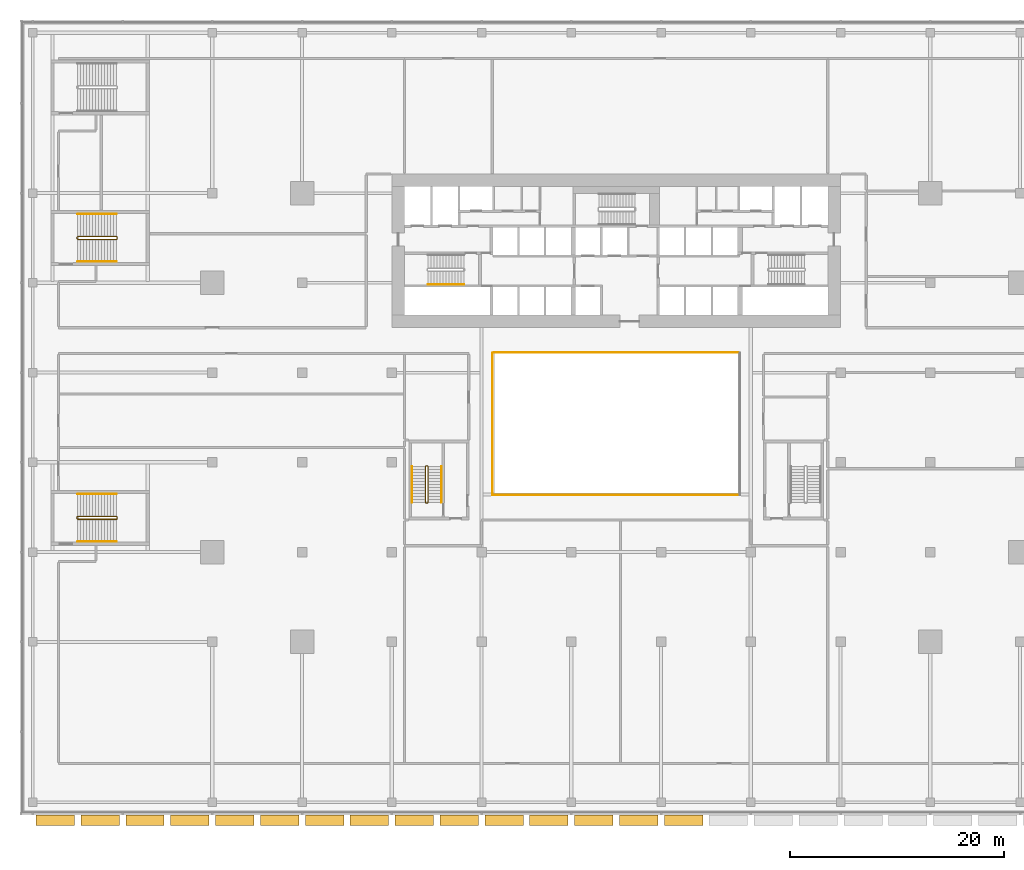
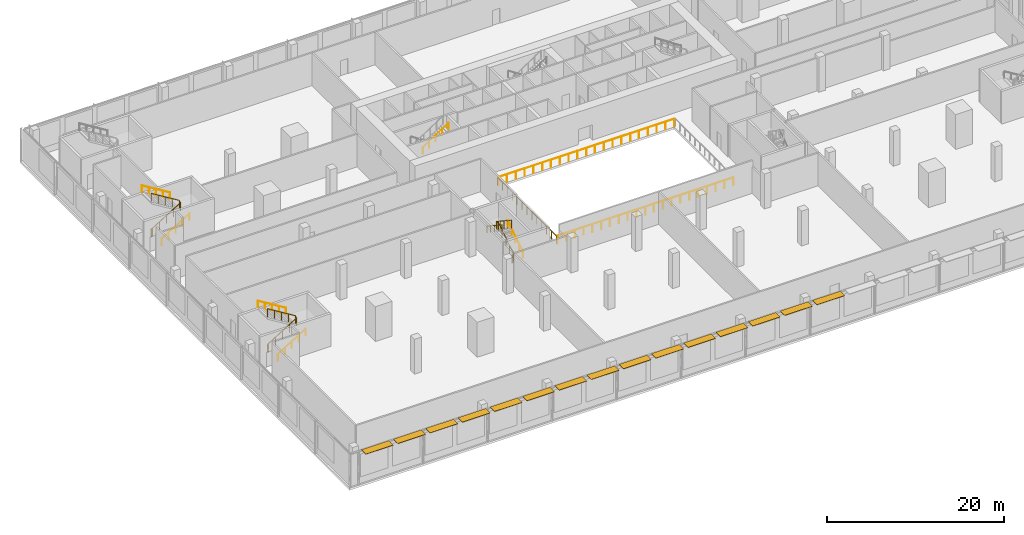
# One storey, part 37 of 39: 15 shading devices, 13 railings.
"""IFC4 building model written with IfcOpenShell, lengths in metres."""

from ifc_helpers import new_model, si_unit, direction, frame, origin, origin_2d, place, context, subcontext, project, spatial, rectangle, circle, extrude, material, type_object, element, save


model = new_model("IFC4")

# Units and contexts
model_context = context("Model", 3, precision=1e-05, world=origin(), true_north=direction((0.0, 1.0)))
body_context = subcontext(model_context, "Body", "Model", "MODEL_VIEW")
ifc_project = project(units=[si_unit("LENGTHUNIT", "METRE"), si_unit("AREAUNIT", "SQUARE_METRE"), si_unit("VOLUMEUNIT", "CUBIC_METRE"), si_unit("PLANEANGLEUNIT", "RADIAN"), si_unit("MASSUNIT", "GRAM", prefix="KILO")], contexts=[model_context])

# Site, building, storey
site_placement = place(None, origin())
site = spatial("IfcSite", under=ifc_project, at=site_placement, CompositionType="ELEMENT")
building_placement = place(site_placement, origin())
building = spatial("IfcBuilding", under=site, at=building_placement, Name="Saffron Gate Tower", CompositionType="ELEMENT")
storey_placement = place(building_placement, frame((0.0, 0.0, 14.39990234375)))
storey = spatial("IfcBuildingStorey", under=building, at=storey_placement, Name="L02", CompositionType="ELEMENT", Elevation=14.39990234375)

# Railings
ifc_material_1 = material(Name="Stainless steel and laminated glass", Category="steel")
railing_type_1 = type_object("IfcRailingType", Name="AG1 Atrium edge guard 1100", PredefinedType="GUARDRAIL", material=ifc_material_1)
railing_1_placement = place(storey_placement, frame((76.02001953125, 45.5400390625, 0.0)))
element("IfcRailing", 1, at=railing_1_placement, inside=storey, type_object=railing_type_1, Name="Guard P2-1", PredefinedType="GUARDRAIL", context=body_context, shape_type="SweptSolid", body=[
    extrude(circle(Radius=0.02392578125, at=origin_2d()), frame((0.0, 0.0, 1.076171875), z_axis=(0.0, 1.0, 0.0), x_axis=(-1.0, 0.0, 0.0)), (0.0, 0.0, 1.0), 13.320068359375),
    extrude(circle(Radius=0.02099609375, at=origin_2d()), origin(), (0.0, 0.0, 1.0), 1.052001953125),
    extrude(circle(Radius=0.02099609375, at=origin_2d()), frame((0.0, 1.110107421875, 0.0)), (0.0, 0.0, 1.0), 1.052001953125),
    extrude(circle(Radius=0.02099609375, at=origin_2d()), frame((0.0, 2.219970703125, 0.0)), (0.0, 0.0, 1.0), 1.052001953125),
    extrude(circle(Radius=0.02099609375, at=origin_2d()), frame((0.0, 3.330078125, 0.0)), (0.0, 0.0, 1.0), 1.052001953125),
    extrude(circle(Radius=0.02099609375, at=origin_2d()), frame((0.0, 4.43994140625, 0.0)), (0.0, 0.0, 1.0), 1.052001953125),
    extrude(circle(Radius=0.02099609375, at=origin_2d()), frame((0.0, 5.550048828125, 0.0)), (0.0, 0.0, 1.0), 1.052001953125),
    extrude(circle(Radius=0.02099609375, at=origin_2d()), frame((0.0, 6.66015625, 0.0)), (0.0, 0.0, 1.0), 1.052001953125),
    extrude(circle(Radius=0.02099609375, at=origin_2d()), frame((0.0, 7.77001953125, 0.0)), (0.0, 0.0, 1.0), 1.052001953125),
    extrude(circle(Radius=0.02099609375, at=origin_2d()), frame((0.0, 8.880126953125, 0.0)), (0.0, 0.0, 1.0), 1.052001953125),
    extrude(circle(Radius=0.02099609375, at=origin_2d()), frame((0.0, 9.989990234375, 0.0)), (0.0, 0.0, 1.0), 1.052001953125),
    extrude(circle(Radius=0.02099609375, at=origin_2d()), frame((0.0, 11.10009765625, 0.0)), (0.0, 0.0, 1.0), 1.052001953125),
    extrude(circle(Radius=0.02099609375, at=origin_2d()), frame((0.0, 12.2099609375, 0.0)), (0.0, 0.0, 1.0), 1.052001953125),
    extrude(circle(Radius=0.02099609375, at=origin_2d()), frame((0.0, 13.320068359375, 0.0)), (0.0, 0.0, 1.0), 1.052001953125),
])
railing_2_placement = place(storey_placement, frame((76.139892578125, 58.860107421875, 0.0)))
element("IfcRailing", 2, at=railing_2_placement, inside=storey, type_object=railing_type_1, Name="Guard P2-2", PredefinedType="GUARDRAIL", context=body_context, shape_type="SweptSolid", body=[
    extrude(circle(Radius=0.02392578125, at=origin_2d()), frame((0.0, 0.0, 1.076171875), z_axis=(1.0, 0.0, 0.0), x_axis=(0.0, 1.0, 0.0)), (0.0, 0.0, 1.0), 22.920166015625),
    extrude(circle(Radius=0.02099609375, at=origin_2d()), origin(), (0.0, 0.0, 1.0), 1.052001953125),
    extrude(circle(Radius=0.02099609375, at=origin_2d()), frame((1.14599609375, 0.0, 0.0)), (0.0, 0.0, 1.0), 1.052001953125),
    extrude(circle(Radius=0.02099609375, at=origin_2d()), frame((2.2919921875, 0.0, 0.0)), (0.0, 0.0, 1.0), 1.052001953125),
    extrude(circle(Radius=0.02099609375, at=origin_2d()), frame((3.43798828125, 0.0, 0.0)), (0.0, 0.0, 1.0), 1.052001953125),
    extrude(circle(Radius=0.02099609375, at=origin_2d()), frame((4.583984375, 0.0, 0.0)), (0.0, 0.0, 1.0), 1.052001953125),
    extrude(circle(Radius=0.02099609375, at=origin_2d()), frame((5.72998046875, 0.0, 0.0)), (0.0, 0.0, 1.0), 1.052001953125),
    extrude(circle(Radius=0.02099609375, at=origin_2d()), frame((6.8759765625, 0.0, 0.0)), (0.0, 0.0, 1.0), 1.052001953125),
    extrude(circle(Radius=0.02099609375, at=origin_2d()), frame((8.02197265625, 0.0, 0.0)), (0.0, 0.0, 1.0), 1.052001953125),
    extrude(circle(Radius=0.02099609375, at=origin_2d()), frame((9.16796875, 0.0, 0.0)), (0.0, 0.0, 1.0), 1.052001953125),
    extrude(circle(Radius=0.02099609375, at=origin_2d()), frame((10.31396484375, 0.0, 0.0)), (0.0, 0.0, 1.0), 1.052001953125),
    extrude(circle(Radius=0.02099609375, at=origin_2d()), frame((11.4599609375, 0.0, 0.0)), (0.0, 0.0, 1.0), 1.052001953125),
    extrude(circle(Radius=0.02099609375, at=origin_2d()), frame((12.606201171875, 0.0, 0.0)), (0.0, 0.0, 1.0), 1.052001953125),
    extrude(circle(Radius=0.02099609375, at=origin_2d()), frame((13.752197265625, 0.0, 0.0)), (0.0, 0.0, 1.0), 1.052001953125),
    extrude(circle(Radius=0.02099609375, at=origin_2d()), frame((14.898193359375, 0.0, 0.0)), (0.0, 0.0, 1.0), 1.052001953125),
    extrude(circle(Radius=0.02099609375, at=origin_2d()), frame((16.044189453125, 0.0, 0.0)), (0.0, 0.0, 1.0), 1.052001953125),
    extrude(circle(Radius=0.02099609375, at=origin_2d()), frame((17.190185546875, 0.0, 0.0)), (0.0, 0.0, 1.0), 1.052001953125),
    extrude(circle(Radius=0.02099609375, at=origin_2d()), frame((18.336181640625, 0.0, 0.0)), (0.0, 0.0, 1.0), 1.052001953125),
    extrude(circle(Radius=0.02099609375, at=origin_2d()), frame((19.482177734375, 0.0, 0.0)), (0.0, 0.0, 1.0), 1.052001953125),
    extrude(circle(Radius=0.02099609375, at=origin_2d()), frame((20.628173828125, 0.0, 0.0)), (0.0, 0.0, 1.0), 1.052001953125),
    extrude(circle(Radius=0.02099609375, at=origin_2d()), frame((21.774169921875, 0.0, 0.0)), (0.0, 0.0, 1.0), 1.052001953125),
    extrude(circle(Radius=0.02099609375, at=origin_2d()), frame((22.920166015625, 0.0, 0.0)), (0.0, 0.0, 1.0), 1.052001953125),
])
railing_3_placement = place(storey_placement, frame((99.06005859375, 45.5400390625, 0.0)))
element("IfcRailing", 3, at=railing_3_placement, inside=storey, type_object=railing_type_1, Name="Guard P2-4", PredefinedType="GUARDRAIL", context=body_context, shape_type="SweptSolid", body=[
    extrude(circle(Radius=0.02392578125, at=origin_2d()), frame((0.0, 0.0, 1.076171875), z_axis=(-1.0, 0.0, 0.0), x_axis=(0.0, -1.0, 0.0)), (0.0, 0.0, 1.0), 22.920166015625),
    extrude(circle(Radius=0.02099609375, at=origin_2d()), origin(), (0.0, 0.0, 1.0), 1.052001953125),
    extrude(circle(Radius=0.02099609375, at=origin_2d()), frame((-1.14599609375, 0.0, 0.0)), (0.0, 0.0, 1.0), 1.052001953125),
    extrude(circle(Radius=0.02099609375, at=origin_2d()), frame((-2.2919921875, 0.0, 0.0)), (0.0, 0.0, 1.0), 1.052001953125),
    extrude(circle(Radius=0.02099609375, at=origin_2d()), frame((-3.43798828125, 0.0, 0.0)), (0.0, 0.0, 1.0), 1.052001953125),
    extrude(circle(Radius=0.02099609375, at=origin_2d()), frame((-4.583984375, 0.0, 0.0)), (0.0, 0.0, 1.0), 1.052001953125),
    extrude(circle(Radius=0.02099609375, at=origin_2d()), frame((-5.72998046875, 0.0, 0.0)), (0.0, 0.0, 1.0), 1.052001953125),
    extrude(circle(Radius=0.02099609375, at=origin_2d()), frame((-6.8759765625, 0.0, 0.0)), (0.0, 0.0, 1.0), 1.052001953125),
    extrude(circle(Radius=0.02099609375, at=origin_2d()), frame((-8.02197265625, 0.0, 0.0)), (0.0, 0.0, 1.0), 1.052001953125),
    extrude(circle(Radius=0.02099609375, at=origin_2d()), frame((-9.16796875, 0.0, 0.0)), (0.0, 0.0, 1.0), 1.052001953125),
    extrude(circle(Radius=0.02099609375, at=origin_2d()), frame((-10.31396484375, 0.0, 0.0)), (0.0, 0.0, 1.0), 1.052001953125),
    extrude(circle(Radius=0.02099609375, at=origin_2d()), frame((-11.4599609375, 0.0, 0.0)), (0.0, 0.0, 1.0), 1.052001953125),
    extrude(circle(Radius=0.02099609375, at=origin_2d()), frame((-12.606201171875, 0.0, 0.0)), (0.0, 0.0, 1.0), 1.052001953125),
    extrude(circle(Radius=0.02099609375, at=origin_2d()), frame((-13.752197265625, 0.0, 0.0)), (0.0, 0.0, 1.0), 1.052001953125),
    extrude(circle(Radius=0.02099609375, at=origin_2d()), frame((-14.898193359375, 0.0, 0.0)), (0.0, 0.0, 1.0), 1.052001953125),
    extrude(circle(Radius=0.02099609375, at=origin_2d()), frame((-16.044189453125, 0.0, 0.0)), (0.0, 0.0, 1.0), 1.052001953125),
    extrude(circle(Radius=0.02099609375, at=origin_2d()), frame((-17.190185546875, 0.0, 0.0)), (0.0, 0.0, 1.0), 1.052001953125),
    extrude(circle(Radius=0.02099609375, at=origin_2d()), frame((-18.336181640625, 0.0, 0.0)), (0.0, 0.0, 1.0), 1.052001953125),
    extrude(circle(Radius=0.02099609375, at=origin_2d()), frame((-19.482177734375, 0.0, 0.0)), (0.0, 0.0, 1.0), 1.052001953125),
    extrude(circle(Radius=0.02099609375, at=origin_2d()), frame((-20.628173828125, 0.0, 0.0)), (0.0, 0.0, 1.0), 1.052001953125),
    extrude(circle(Radius=0.02099609375, at=origin_2d()), frame((-21.774169921875, 0.0, 0.0)), (0.0, 0.0, 1.0), 1.052001953125),
    extrude(circle(Radius=0.02099609375, at=origin_2d()), frame((-22.920166015625, 0.0, 0.0)), (0.0, 0.0, 1.0), 1.052001953125),
])
railing_type_2 = type_object("IfcRailingType", Name="CR1 Stair guard 1100", PredefinedType="GUARDRAIL", material=ifc_material_1)
railing_4_placement = place(storey_placement, frame((69.800048828125, 44.800048828125, 0.0)))
element("IfcRailing", 4, at=railing_4_placement, inside=storey, type_object=railing_type_2, Name="L02 ST-D stair guard 1", PredefinedType="GUARDRAIL", context=body_context, shape_type="SweptSolid", body=[
    extrude(circle(Radius=0.02392578125, at=origin_2d()), frame((0.0, 0.0, 1.076171875), z_axis=(1.0, 0.0, 0.0), x_axis=(0.0, 1.0, 0.0)), (0.0, 0.0, 1.0), 0.14990234375),
    extrude(circle(Radius=0.02392578125, at=origin_2d()), frame((0.14990234375, 0.0, 1.076171875), z_axis=(0.252893960547, 0.252893960547, 0.933857210411), x_axis=(-0.707106781187, 0.707106781187, 0.0)), (0.0, 0.0, 1.0), 0.197998046875),
    extrude(circle(Radius=0.02392578125, at=origin_2d()), frame((0.199951171875, 0.050048828125, 1.2607421875), z_axis=(0.0, 0.834858096282, 0.550465220583), x_axis=(-1.0, 0.0, 0.0)), (0.0, 0.0, 1.0), 4.0244140625),
    extrude(circle(Radius=0.02392578125, at=origin_2d()), frame((0.199951171875, 3.409912109375, 3.47607421875), z_axis=(-0.707106781187, 0.707106781187, 0.0), x_axis=(-0.707106781187, -0.707106781187, 0.0)), (0.0, 0.0, 1.0), 0.07080078125),
    extrude(circle(Radius=0.02392578125, at=origin_2d()), frame((0.14990234375, 3.4599609375, 3.47607421875), z_axis=(-1.0, 0.0, 0.0), x_axis=(0.0, -1.0, 0.0)), (0.0, 0.0, 1.0), 0.14990234375),
    extrude(circle(Radius=0.02392578125, at=origin_2d()), frame((0.0, 3.4599609375, 3.47607421875), z_axis=(-0.253185614162, -0.253185614162, 0.933699142959), x_axis=(0.707106781187, -0.707106781187, 0.0)), (0.0, 0.0, 1.0), 0.19775390625),
    extrude(circle(Radius=0.02392578125, at=origin_2d()), frame((-0.050048828125, 3.409912109375, 3.66064453125), z_axis=(0.0, -0.834858096282, 0.550465220583), x_axis=(1.0, 0.0, 0.0)), (0.0, 0.0, 1.0), 4.0244140625),
    extrude(circle(Radius=0.02099609375, at=origin_2d()), origin(), (0.0, 0.0, 1.0), 1.052001953125),
    extrude(circle(Radius=0.02099609375, at=origin_2d()), frame((0.14990234375, 0.0, 0.0)), (0.0, 0.0, 1.0), 1.052001953125),
    extrude(circle(Radius=0.02099609375, at=origin_2d()), frame((0.199951171875, 0.050048828125, 0.184814453125)), (0.0, 0.0, 1.0), 1.052001953125),
    extrude(circle(Radius=0.02099609375, at=origin_2d()), frame((0.199951171875, 0.89013671875, 0.73876953125)), (0.0, 0.0, 1.0), 1.052001953125),
    extrude(circle(Radius=0.02099609375, at=origin_2d()), frame((0.199951171875, 1.72998046875, 1.29248046875)), (0.0, 0.0, 1.0), 1.052001953125),
    extrude(circle(Radius=0.02099609375, at=origin_2d()), frame((0.199951171875, 2.56982421875, 1.84619140625)), (0.0, 0.0, 1.0), 1.052001953125),
    extrude(circle(Radius=0.02099609375, at=origin_2d()), frame((0.199951171875, 3.409912109375, 2.400146484375)), (0.0, 0.0, 1.0), 1.052001953125),
    extrude(circle(Radius=0.02099609375, at=origin_2d()), frame((0.14990234375, 3.4599609375, 2.400146484375)), (0.0, 0.0, 1.0), 1.052001953125),
    extrude(circle(Radius=0.02099609375, at=origin_2d()), frame((0.0, 3.4599609375, 2.400146484375)), (0.0, 0.0, 1.0), 1.052001953125),
    extrude(circle(Radius=0.02099609375, at=origin_2d()), frame((-0.050048828125, 3.409912109375, 2.584716796875)), (0.0, 0.0, 1.0), 1.052001953125),
    extrude(circle(Radius=0.02099609375, at=origin_2d()), frame((-0.050048828125, 2.56982421875, 3.138671875)), (0.0, 0.0, 1.0), 1.052001953125),
    extrude(circle(Radius=0.02099609375, at=origin_2d()), frame((-0.050048828125, 1.72998046875, 3.6923828125)), (0.0, 0.0, 1.0), 1.052001953125),
    extrude(circle(Radius=0.02099609375, at=origin_2d()), frame((-0.050048828125, 0.89013671875, 4.24609375)), (0.0, 0.0, 1.0), 1.052001953125),
    extrude(circle(Radius=0.02099609375, at=origin_2d()), frame((-0.050048828125, 0.050048828125, 4.800048828125)), (0.0, 0.0, 1.0), 1.052001953125),
])
railing_5_placement = place(storey_placement, frame((37.14990234375, 69.675048828125, 0.0)))
element("IfcRailing", 5, at=railing_5_placement, inside=storey, type_object=railing_type_2, Name="L02 ST-G stair guard 1", PredefinedType="GUARDRAIL", context=body_context, shape_type="SweptSolid", body=[
    extrude(circle(Radius=0.02392578125, at=origin_2d()), frame((0.0, 0.0, 1.076171875), z_axis=(0.0, -1.0, 0.0), x_axis=(1.0, 0.0, 0.0)), (0.0, 0.0, 1.0), 0.150146484375),
    extrude(circle(Radius=0.02392578125, at=origin_2d()), frame((0.0, -0.150146484375, 1.076171875), z_axis=(0.269678486558, -0.268362981746, 0.924799883173), x_axis=(0.705375805398, 0.708833529934, 0.0)), (0.0, 0.0, 1.0), 0.185546875),
    extrude(circle(Radius=0.02392578125, at=origin_2d()), frame((0.050048828125, -0.199951171875, 1.24755859375), z_axis=(0.852865859571, 0.0, 0.52213008492), x_axis=(0.0, 1.0, 0.0)), (0.0, 0.0, 1.0), 4.26806640625),
    extrude(circle(Radius=0.02392578125, at=origin_2d()), frame((3.690185546875, -0.199951171875, 3.47607421875), z_axis=(0.707106781187, 0.707106781187, 0.0), x_axis=(-0.707106781187, 0.707106781187, 0.0)), (0.0, 0.0, 1.0), 0.0703125),
    extrude(circle(Radius=0.02392578125, at=origin_2d()), frame((3.739990234375, -0.150146484375, 3.47607421875), z_axis=(0.0, 1.0, 0.0), x_axis=(-1.0, 0.0, 0.0)), (0.0, 0.0, 1.0), 0.150146484375),
    extrude(circle(Radius=0.02392578125, at=origin_2d()), frame((3.739990234375, 0.0, 3.47607421875), z_axis=(-0.268689830376, 0.270006937388, 0.924609122178), x_axis=(-0.708833529934, -0.705375805398, 0.0)), (0.0, 0.0, 1.0), 0.185302734375),
    extrude(circle(Radius=0.02392578125, at=origin_2d()), frame((3.690185546875, 0.050048828125, 3.6474609375), z_axis=(-0.852865859571, 0.0, 0.52213008492), x_axis=(0.0, -1.0, 0.0)), (0.0, 0.0, 1.0), 4.26806640625),
    extrude(circle(Radius=0.02099609375, at=origin_2d()), origin(), (0.0, 0.0, 1.0), 1.052001953125),
    extrude(circle(Radius=0.02099609375, at=origin_2d()), frame((0.0, -0.150146484375, 0.0)), (0.0, 0.0, 1.0), 1.052001953125),
    extrude(circle(Radius=0.02099609375, at=origin_2d()), frame((0.050048828125, -0.199951171875, 0.171630859375)), (0.0, 0.0, 1.0), 1.052001953125),
    extrude(circle(Radius=0.02099609375, at=origin_2d()), frame((0.9599609375, -0.199951171875, 0.728759765625)), (0.0, 0.0, 1.0), 1.052001953125),
    extrude(circle(Radius=0.02099609375, at=origin_2d()), frame((1.8701171875, -0.199951171875, 1.285888671875)), (0.0, 0.0, 1.0), 1.052001953125),
    extrude(circle(Radius=0.02099609375, at=origin_2d()), frame((2.7802734375, -0.199951171875, 1.843017578125)), (0.0, 0.0, 1.0), 1.052001953125),
    extrude(circle(Radius=0.02099609375, at=origin_2d()), frame((3.690185546875, -0.199951171875, 2.400146484375)), (0.0, 0.0, 1.0), 1.052001953125),
    extrude(circle(Radius=0.02099609375, at=origin_2d()), frame((3.739990234375, -0.150146484375, 2.400146484375)), (0.0, 0.0, 1.0), 1.052001953125),
    extrude(circle(Radius=0.02099609375, at=origin_2d()), frame((3.739990234375, 0.0, 2.400146484375)), (0.0, 0.0, 1.0), 1.052001953125),
    extrude(circle(Radius=0.02099609375, at=origin_2d()), frame((3.690185546875, 0.050048828125, 2.571533203125)), (0.0, 0.0, 1.0), 1.052001953125),
    extrude(circle(Radius=0.02099609375, at=origin_2d()), frame((2.7802734375, 0.050048828125, 3.128662109375)), (0.0, 0.0, 1.0), 1.052001953125),
    extrude(circle(Radius=0.02099609375, at=origin_2d()), frame((1.8701171875, 0.050048828125, 3.685791015625)), (0.0, 0.0, 1.0), 1.052001953125),
    extrude(circle(Radius=0.02099609375, at=origin_2d()), frame((0.9599609375, 0.050048828125, 4.242919921875)), (0.0, 0.0, 1.0), 1.052001953125),
    extrude(circle(Radius=0.02099609375, at=origin_2d()), frame((0.050048828125, 0.050048828125, 4.800048828125)), (0.0, 0.0, 1.0), 1.052001953125),
])
railing_6_placement = place(storey_placement, frame((37.14990234375, 43.47509765625, 0.0)))
element("IfcRailing", 6, at=railing_6_placement, inside=storey, type_object=railing_type_2, Name="L02 ST-H stair guard 1", PredefinedType="GUARDRAIL", context=body_context, shape_type="SweptSolid", body=[
    extrude(circle(Radius=0.02392578125, at=origin_2d()), frame((0.0, 0.0, 1.076171875), z_axis=(0.0, -1.0, 0.0), x_axis=(1.0, 0.0, 0.0)), (0.0, 0.0, 1.0), 0.150146484375),
    extrude(circle(Radius=0.02392578125, at=origin_2d()), frame((0.0, -0.150146484375, 1.076171875), z_axis=(0.269583098496, -0.269583098496, 0.924472771914), x_axis=(0.707106781187, 0.707106781187, 0.0)), (0.0, 0.0, 1.0), 0.185546875),
    extrude(circle(Radius=0.02392578125, at=origin_2d()), frame((0.050048828125, -0.2001953125, 1.24755859375), z_axis=(0.852865859571, 0.0, 0.52213008492), x_axis=(0.0, 1.0, 0.0)), (0.0, 0.0, 1.0), 4.26806640625),
    extrude(circle(Radius=0.02392578125, at=origin_2d()), frame((3.690185546875, -0.2001953125, 3.47607421875), z_axis=(0.705375805398, 0.708833529934, 0.0), x_axis=(-0.708833529934, 0.705375805398, 0.0)), (0.0, 0.0, 1.0), 0.070556640625),
    extrude(circle(Radius=0.02392578125, at=origin_2d()), frame((3.739990234375, -0.150146484375, 3.47607421875), z_axis=(0.0, 1.0, 0.0), x_axis=(-1.0, 0.0, 0.0)), (0.0, 0.0, 1.0), 0.150146484375),
    extrude(circle(Radius=0.02392578125, at=origin_2d()), frame((3.739990234375, 0.0, 3.47607421875), z_axis=(-0.268785201708, 0.268785201708, 0.92493731176), x_axis=(-0.707106781187, -0.707106781187, 0.0)), (0.0, 0.0, 1.0), 0.185302734375),
    extrude(circle(Radius=0.02392578125, at=origin_2d()), frame((3.690185546875, 0.0498046875, 3.6474609375), z_axis=(-0.852865859571, 0.0, 0.52213008492), x_axis=(0.0, -1.0, 0.0)), (0.0, 0.0, 1.0), 4.26806640625),
    extrude(circle(Radius=0.02099609375, at=origin_2d()), origin(), (0.0, 0.0, 1.0), 1.052001953125),
    extrude(circle(Radius=0.02099609375, at=origin_2d()), frame((0.0, -0.150146484375, 0.0)), (0.0, 0.0, 1.0), 1.052001953125),
    extrude(circle(Radius=0.02099609375, at=origin_2d()), frame((0.050048828125, -0.2001953125, 0.171630859375)), (0.0, 0.0, 1.0), 1.052001953125),
    extrude(circle(Radius=0.02099609375, at=origin_2d()), frame((0.9599609375, -0.2001953125, 0.728759765625)), (0.0, 0.0, 1.0), 1.052001953125),
    extrude(circle(Radius=0.02099609375, at=origin_2d()), frame((1.8701171875, -0.2001953125, 1.285888671875)), (0.0, 0.0, 1.0), 1.052001953125),
    extrude(circle(Radius=0.02099609375, at=origin_2d()), frame((2.7802734375, -0.2001953125, 1.843017578125)), (0.0, 0.0, 1.0), 1.052001953125),
    extrude(circle(Radius=0.02099609375, at=origin_2d()), frame((3.690185546875, -0.2001953125, 2.400146484375)), (0.0, 0.0, 1.0), 1.052001953125),
    extrude(circle(Radius=0.02099609375, at=origin_2d()), frame((3.739990234375, -0.150146484375, 2.400146484375)), (0.0, 0.0, 1.0), 1.052001953125),
    extrude(circle(Radius=0.02099609375, at=origin_2d()), frame((3.739990234375, 0.0, 2.400146484375)), (0.0, 0.0, 1.0), 1.052001953125),
    extrude(circle(Radius=0.02099609375, at=origin_2d()), frame((3.690185546875, 0.0498046875, 2.571533203125)), (0.0, 0.0, 1.0), 1.052001953125),
    extrude(circle(Radius=0.02099609375, at=origin_2d()), frame((2.7802734375, 0.0498046875, 3.128662109375)), (0.0, 0.0, 1.0), 1.052001953125),
    extrude(circle(Radius=0.02099609375, at=origin_2d()), frame((1.8701171875, 0.0498046875, 3.685791015625)), (0.0, 0.0, 1.0), 1.052001953125),
    extrude(circle(Radius=0.02099609375, at=origin_2d()), frame((0.9599609375, 0.0498046875, 4.242919921875)), (0.0, 0.0, 1.0), 1.052001953125),
    extrude(circle(Radius=0.02099609375, at=origin_2d()), frame((0.050048828125, 0.0498046875, 4.800048828125)), (0.0, 0.0, 1.0), 1.052001953125),
])
ifc_material_2 = material(Name="Stainless steel", Category="steel")
railing_type_3 = type_object("IfcRailingType", Name="CR2 Stair handrail 900", PredefinedType="HANDRAIL", material=ifc_material_2)
railing_7_placement = place(storey_placement, frame((69.989990234375, 65.25, 2.584716796875)))
element("IfcRailing", 7, at=railing_7_placement, inside=storey, type_object=railing_type_3, Name="L02 ST-A stair handrail 2", PredefinedType="HANDRAIL", context=body_context, shape_type="SweptSolid", body=[
    extrude(circle(Radius=0.02392578125, at=origin_2d()), frame((0.0, 0.0, 0.8759765625), z_axis=(0.834876476806, 0.0, 0.550437342915), x_axis=(0.0, 1.0, 0.0)), (0.0, 0.0, 1.0), 4.024658203125),
    extrude(circle(Radius=0.02099609375, at=origin_2d()), origin(), (0.0, 0.0, 1.0), 0.851806640625),
    extrude(circle(Radius=0.02099609375, at=origin_2d()), frame((0.840087890625, 0.0, 0.5537109375)), (0.0, 0.0, 1.0), 0.851806640625),
    extrude(circle(Radius=0.02099609375, at=origin_2d()), frame((1.68017578125, 0.0, 1.107666015625)), (0.0, 0.0, 1.0), 0.851806640625),
    extrude(circle(Radius=0.02099609375, at=origin_2d()), frame((2.52001953125, 0.0, 1.66162109375)), (0.0, 0.0, 1.0), 0.851806640625),
    extrude(circle(Radius=0.02099609375, at=origin_2d()), frame((3.360107421875, 0.0, 2.21533203125)), (0.0, 0.0, 1.0), 0.851806640625),
])
railing_8_placement = place(storey_placement, frame((71.25, 44.85009765625, 0.184814453125)))
element("IfcRailing", 8, at=railing_8_placement, inside=storey, type_object=railing_type_3, Name="L02 ST-D stair handrail 1", PredefinedType="HANDRAIL", context=body_context, shape_type="SweptSolid", body=[
    extrude(circle(Radius=0.02392578125, at=origin_2d()), frame((0.0, 0.0, 0.8759765625), z_axis=(0.0, 0.834858096282, 0.550465220583), x_axis=(-1.0, 0.0, 0.0)), (0.0, 0.0, 1.0), 4.0244140625),
    extrude(circle(Radius=0.02099609375, at=origin_2d()), origin(), (0.0, 0.0, 1.0), 0.851806640625),
    extrude(circle(Radius=0.02099609375, at=origin_2d()), frame((0.0, 0.83984375, 0.5537109375)), (0.0, 0.0, 1.0), 0.851806640625),
    extrude(circle(Radius=0.02099609375, at=origin_2d()), frame((0.0, 1.679931640625, 1.107666015625)), (0.0, 0.0, 1.0), 0.851806640625),
    extrude(circle(Radius=0.02099609375, at=origin_2d()), frame((0.0, 2.52001953125, 1.66162109375)), (0.0, 0.0, 1.0), 0.851806640625),
    extrude(circle(Radius=0.02099609375, at=origin_2d()), frame((0.0, 3.35986328125, 2.21533203125)), (0.0, 0.0, 1.0), 0.851806640625),
])
railing_9_placement = place(storey_placement, frame((68.5, 48.2099609375, 2.584716796875)))
element("IfcRailing", 9, at=railing_9_placement, inside=storey, type_object=railing_type_3, Name="L02 ST-D stair handrail 2", PredefinedType="HANDRAIL", context=body_context, shape_type="SweptSolid", body=[
    extrude(circle(Radius=0.02392578125, at=origin_2d()), frame((0.0, 0.0, 0.8759765625), z_axis=(0.0, -0.834858096282, 0.550465220583), x_axis=(1.0, 0.0, 0.0)), (0.0, 0.0, 1.0), 4.0244140625),
    extrude(circle(Radius=0.02099609375, at=origin_2d()), origin(), (0.0, 0.0, 1.0), 0.851806640625),
    extrude(circle(Radius=0.02099609375, at=origin_2d()), frame((0.0, -0.83984375, 0.5537109375)), (0.0, 0.0, 1.0), 0.851806640625),
    extrude(circle(Radius=0.02099609375, at=origin_2d()), frame((0.0, -1.679931640625, 1.107666015625)), (0.0, 0.0, 1.0), 0.851806640625),
    extrude(circle(Radius=0.02099609375, at=origin_2d()), frame((0.0, -2.52001953125, 1.66162109375)), (0.0, 0.0, 1.0), 0.851806640625),
    extrude(circle(Radius=0.02099609375, at=origin_2d()), frame((0.0, -3.35986328125, 2.21533203125)), (0.0, 0.0, 1.0), 0.851806640625),
])
railing_10_placement = place(storey_placement, frame((37.199951171875, 67.375, 0.171630859375)))
element("IfcRailing", 10, at=railing_10_placement, inside=storey, type_object=railing_type_3, Name="L02 ST-G stair handrail 1", PredefinedType="HANDRAIL", context=body_context, shape_type="SweptSolid", body=[
    extrude(circle(Radius=0.02392578125, at=origin_2d()), frame((0.0, 0.0, 0.8759765625), z_axis=(0.852865859571, 0.0, 0.52213008492), x_axis=(0.0, 1.0, 0.0)), (0.0, 0.0, 1.0), 4.26806640625),
    extrude(circle(Radius=0.02099609375, at=origin_2d()), origin(), (0.0, 0.0, 1.0), 0.851806640625),
    extrude(circle(Radius=0.02099609375, at=origin_2d()), frame((0.91015625, 0.0, 0.55712890625)), (0.0, 0.0, 1.0), 0.851806640625),
    extrude(circle(Radius=0.02099609375, at=origin_2d()), frame((1.820068359375, 0.0, 1.1142578125)), (0.0, 0.0, 1.0), 0.851806640625),
    extrude(circle(Radius=0.02099609375, at=origin_2d()), frame((2.72998046875, 0.0, 1.67138671875)), (0.0, 0.0, 1.0), 0.851806640625),
    extrude(circle(Radius=0.02099609375, at=origin_2d()), frame((3.64013671875, 0.0, 2.228515625)), (0.0, 0.0, 1.0), 0.851806640625),
])
railing_11_placement = place(storey_placement, frame((40.840087890625, 71.824951171875, 2.571533203125)))
element("IfcRailing", 11, at=railing_11_placement, inside=storey, type_object=railing_type_3, Name="L02 ST-G stair handrail 2", PredefinedType="HANDRAIL", context=body_context, shape_type="SweptSolid", body=[
    extrude(circle(Radius=0.02392578125, at=origin_2d()), frame((0.0, 0.0, 0.8759765625), z_axis=(-0.852865859571, 0.0, 0.52213008492), x_axis=(0.0, -1.0, 0.0)), (0.0, 0.0, 1.0), 4.26806640625),
    extrude(circle(Radius=0.02099609375, at=origin_2d()), origin(), (0.0, 0.0, 1.0), 0.851806640625),
    extrude(circle(Radius=0.02099609375, at=origin_2d()), frame((-0.91015625, 0.0, 0.55712890625)), (0.0, 0.0, 1.0), 0.851806640625),
    extrude(circle(Radius=0.02099609375, at=origin_2d()), frame((-1.820068359375, 0.0, 1.1142578125)), (0.0, 0.0, 1.0), 0.851806640625),
    extrude(circle(Radius=0.02099609375, at=origin_2d()), frame((-2.72998046875, 0.0, 1.67138671875)), (0.0, 0.0, 1.0), 0.851806640625),
    extrude(circle(Radius=0.02099609375, at=origin_2d()), frame((-3.64013671875, 0.0, 2.228515625)), (0.0, 0.0, 1.0), 0.851806640625),
])
railing_12_placement = place(storey_placement, frame((37.199951171875, 41.175048828125, 0.171630859375)))
element("IfcRailing", 12, at=railing_12_placement, inside=storey, type_object=railing_type_3, Name="L02 ST-H stair handrail 1", PredefinedType="HANDRAIL", context=body_context, shape_type="SweptSolid", body=[
    extrude(circle(Radius=0.02392578125, at=origin_2d()), frame((0.0, 0.0, 0.8759765625), z_axis=(0.852865859571, 0.0, 0.52213008492), x_axis=(0.0, 1.0, 0.0)), (0.0, 0.0, 1.0), 4.26806640625),
    extrude(circle(Radius=0.02099609375, at=origin_2d()), origin(), (0.0, 0.0, 1.0), 0.851806640625),
    extrude(circle(Radius=0.02099609375, at=origin_2d()), frame((0.91015625, 0.0, 0.55712890625)), (0.0, 0.0, 1.0), 0.851806640625),
    extrude(circle(Radius=0.02099609375, at=origin_2d()), frame((1.820068359375, 0.0, 1.1142578125)), (0.0, 0.0, 1.0), 0.851806640625),
    extrude(circle(Radius=0.02099609375, at=origin_2d()), frame((2.72998046875, 0.0, 1.67138671875)), (0.0, 0.0, 1.0), 0.851806640625),
    extrude(circle(Radius=0.02099609375, at=origin_2d()), frame((3.64013671875, 0.0, 2.228515625)), (0.0, 0.0, 1.0), 0.851806640625),
])
railing_13_placement = place(storey_placement, frame((40.840087890625, 45.625, 2.571533203125)))
element("IfcRailing", 13, at=railing_13_placement, inside=storey, type_object=railing_type_3, Name="L02 ST-H stair handrail 2", PredefinedType="HANDRAIL", context=body_context, shape_type="SweptSolid", body=[
    extrude(circle(Radius=0.02392578125, at=origin_2d()), frame((0.0, 0.0, 0.8759765625), z_axis=(-0.852865859571, 0.0, 0.52213008492), x_axis=(0.0, -1.0, 0.0)), (0.0, 0.0, 1.0), 4.26806640625),
    extrude(circle(Radius=0.02099609375, at=origin_2d()), origin(), (0.0, 0.0, 1.0), 0.851806640625),
    extrude(circle(Radius=0.02099609375, at=origin_2d()), frame((-0.91015625, 0.0, 0.55712890625)), (0.0, 0.0, 1.0), 0.851806640625),
    extrude(circle(Radius=0.02099609375, at=origin_2d()), frame((-1.820068359375, 0.0, 1.1142578125)), (0.0, 0.0, 1.0), 0.851806640625),
    extrude(circle(Radius=0.02099609375, at=origin_2d()), frame((-2.72998046875, 0.0, 1.67138671875)), (0.0, 0.0, 1.0), 0.851806640625),
    extrude(circle(Radius=0.02099609375, at=origin_2d()), frame((-3.64013671875, 0.0, 2.228515625)), (0.0, 0.0, 1.0), 0.851806640625),
])

# Shading devices
for number, where, z_axis, x_axis, name in (
    (14, (35.10009765625, 15.10009765625, 4.699951171875), (0.0, 0.0, 1.0), (1.0, 0.0, 0.0), "SUNSHADE bronze blade"),
    (15, (39.300048828125, 15.10009765625, 4.699951171875), (0.0, 0.0, 1.0), (1.0, 0.0, 0.0), "SUNSHADE bronze blade"),
    (16, (43.5, 15.10009765625, 4.699951171875), (0.0, 0.0, 1.0), (1.0, 0.0, 0.0), "SUNSHADE bronze blade"),
    (17, (47.699951171875, 15.10009765625, 4.699951171875), (0.0, 0.0, 1.0), (1.0, 0.0, 0.0), "SUNSHADE bronze blade"),
    (18, (51.89990234375, 15.10009765625, 4.699951171875), (0.0, 0.0, 1.0), (1.0, 0.0, 0.0), "SUNSHADE bronze blade"),
    (19, (56.10009765625, 15.10009765625, 4.699951171875), (0.0, 0.0, 1.0), (1.0, 0.0, 0.0), "SUNSHADE bronze blade"),
    (20, (60.300048828125, 15.10009765625, 4.699951171875), (0.0, 0.0, 1.0), (1.0, 0.0, 0.0), "SUNSHADE bronze blade"),
    (21, (64.5, 15.10009765625, 4.699951171875), (0.0, 0.0, 1.0), (1.0, 0.0, 0.0), "SUNSHADE bronze blade"),
    (22, (68.699951171875, 15.10009765625, 4.699951171875), (0.0, 0.0, 1.0), (1.0, 0.0, 0.0), "SUNSHADE bronze blade"),
    (23, (72.89990234375, 15.10009765625, 4.699951171875), (0.0, 0.0, 1.0), (1.0, 0.0, 0.0), "SUNSHADE bronze blade"),
    (24, (77.10009765625, 15.10009765625, 4.699951171875), (0.0, 0.0, 1.0), (1.0, 0.0, 0.0), "SUNSHADE bronze blade"),
    (25, (81.300048828125, 15.10009765625, 4.699951171875), (0.0, 0.0, 1.0), (1.0, 0.0, 0.0), "SUNSHADE bronze blade"),
    (26, (85.5, 15.10009765625, 4.699951171875), (0.0, 0.0, 1.0), (1.0, 0.0, 0.0), "SUNSHADE bronze blade"),
    (27, (89.699951171875, 15.10009765625, 4.699951171875), (0.0, 0.0, 1.0), (1.0, 0.0, 0.0), "SUNSHADE bronze blade"),
    (28, (93.89990234375, 15.10009765625, 4.699951171875), (0.0, 0.0, 1.0), (1.0, 0.0, 0.0), "SUNSHADE bronze blade"),
):
    element("IfcShadingDevice", number, at=place(storey_placement, frame(where, z_axis=z_axis, x_axis=x_axis)), inside=storey, Name=name, ObjectType="SUNSHADE", PredefinedType="USERDEFINED", context=body_context, shape_type="SweptSolid", body=[
        extrude(rectangle(XDim=3.60009765625, YDim=1.0, at=origin_2d()), origin(), (0.0, 0.0, 1.0), 0.06005859375),
    ])

save(model, "model.ifc")
